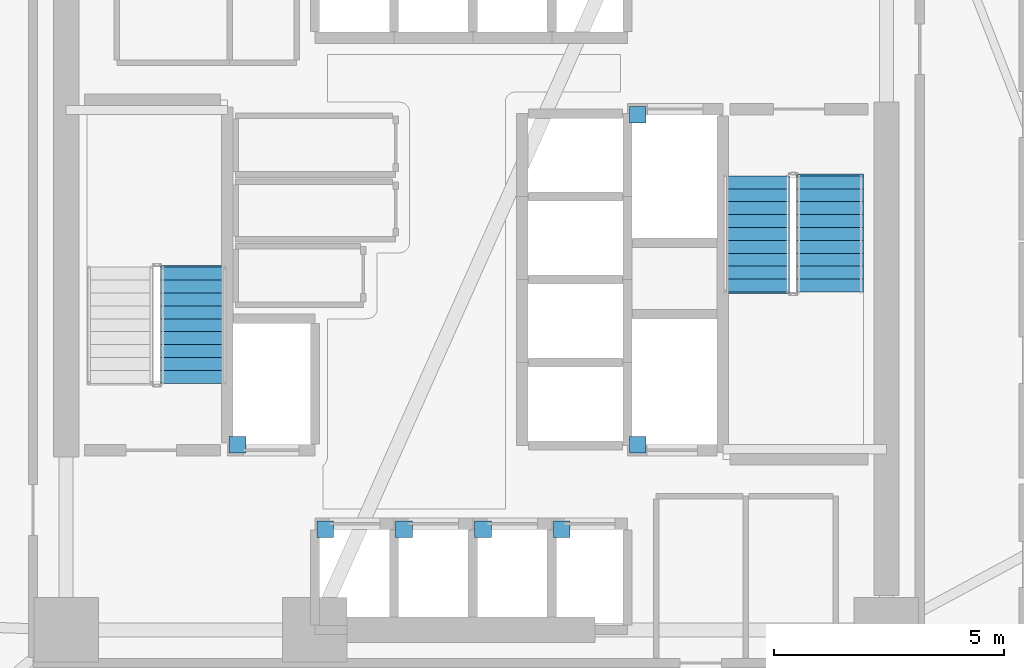
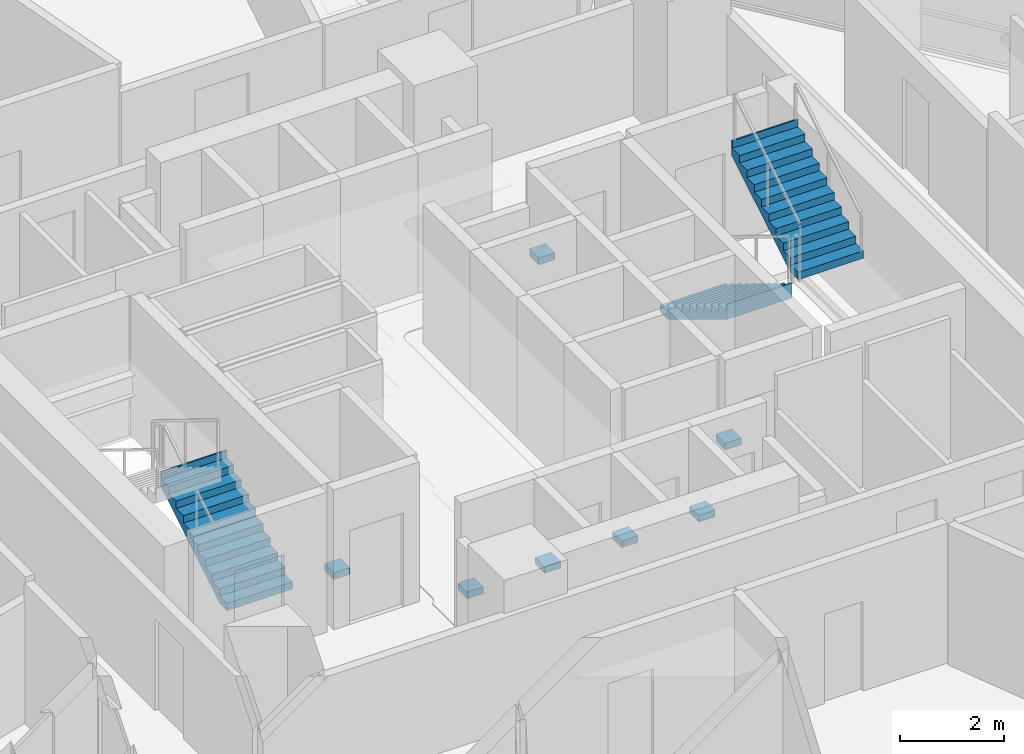
# One storey, part 11 of 16: 7 discrete accessories, 3 stair flights, 2 elements without a shape of their own.
"""IFC4 building model written with IfcOpenShell, lengths in metres."""

from ifc_helpers import new_model, si_unit, direction, frame, origin, origin_2d, place, context, subcontext, project, spatial, polyline, rectangle, outline, extrude, material, type_object, element, aggregate, save


model = new_model("IFC4")

# Units and contexts
model_context = context("Model", 3, precision=1e-05, world=origin(), true_north=direction((0.0, 1.0)))
body_context = subcontext(model_context, "Body", "Model", "MODEL_VIEW")
ifc_project = project(units=[si_unit("LENGTHUNIT", "METRE"), si_unit("AREAUNIT", "SQUARE_METRE"), si_unit("VOLUMEUNIT", "CUBIC_METRE"), si_unit("PLANEANGLEUNIT", "RADIAN"), si_unit("MASSUNIT", "GRAM", prefix="KILO")], contexts=[model_context])

# Site, building, storey
site_placement = place(None, origin())
site = spatial("IfcSite", under=ifc_project, at=site_placement, CompositionType="ELEMENT")
building_placement = place(site_placement, origin())
building = spatial("IfcBuilding", under=site, at=building_placement, Name="Tharavind Bronze Gate", CompositionType="ELEMENT")
storey_placement = place(building_placement, frame((0.0, 0.0, 70.75)))
storey = spatial("IfcBuildingStorey", under=building, at=storey_placement, Name="L17", CompositionType="ELEMENT", Elevation=70.75)

# Stair, stair flight
ifc_material_1 = material(Name="Concrete C40/50", Category="concrete")
stair_type = type_object("IfcStairType", Name="CORE HALF TURN STAIR 1450", PredefinedType="HALF_TURN_STAIR", material=ifc_material_1)
stair_1_placement = place(storey_placement, origin())
stair_1 = element("IfcStair", 1, at=stair_1_placement, inside=storey, type_object=stair_type, Name="L17 Protected Exit Stair ST1", PredefinedType="HALF_TURN_STAIR")
stair_flight_type = type_object("IfcStairFlightType", Name="CORE STAIR FLIGHT 1450", PredefinedType="STRAIGHT", material=ifc_material_1)
stair_flight_1_placement = place(storey_placement, frame((-6.125, -2.25, 0.0), z_axis=(0.0, 0.0, 1.0), x_axis=(0.0, 1.0, 0.0)))
stair_flight_1 = element("IfcStairFlight", 2, at=stair_flight_1_placement, type_object=stair_flight_type, Name="ST1 flight 1", NumberOfRisers=10, NumberOfTreads=9, PredefinedType="STRAIGHT", RiserHeight=0.1725, TreadLength=0.28, context=body_context, shape_type="SweptSolid", body=[
    extrude(outline(polyline([(0.0, 0.0), (0.0, 0.172607421875), (0.280029296875, 0.172607421875), (0.280029296875, 0.344970703125), (0.56005859375, 0.344970703125), (0.56005859375, 0.517578125), (0.840087890625, 0.517578125), (0.840087890625, 0.68994140625), (1.1201171875, 0.68994140625), (1.1201171875, 0.862548828125), (1.39990234375, 0.862548828125), (1.39990234375, 1.034912109375), (1.679931640625, 1.034912109375), (1.679931640625, 1.20751953125), (1.9599609375, 1.20751953125), (1.9599609375, 1.3798828125), (2.239990234375, 1.3798828125), (2.239990234375, 1.552490234375), (2.52001953125, 1.552490234375), (2.52001953125, 1.72509765625), (2.555908203125, 1.72509765625), (2.555908203125, 1.37646484375), (0.285888671875, 0.0), (0.0, 0.0)])), frame((0.0, 0.72509765625, 0.0), z_axis=(0.0, -1.0, 0.0), x_axis=(1.0, 0.0, 0.0)), (0.0, 0.0, 1.0), 1.449951171875),
])
aggregate(stair_1, [stair_flight_1])

# Stair, stair flights
stair_2_placement = place(storey_placement, origin())
stair_2 = element("IfcStair", 3, at=stair_2_placement, inside=storey, type_object=stair_type, Name="L17 Protected Exit Stair ST2", PredefinedType="HALF_TURN_STAIR")
stair_flight_2_placement = place(storey_placement, frame((6.074951171875, 2.25, 0.0), z_axis=(0.0, 0.0, 1.0), x_axis=(0.0, -1.0, 0.0)))
stair_flight_2 = element("IfcStairFlight", 4, at=stair_flight_2_placement, type_object=stair_flight_type, Name="ST2 flight 1", NumberOfRisers=10, NumberOfTreads=9, PredefinedType="STRAIGHT", RiserHeight=0.1725, TreadLength=0.28, context=body_context, shape_type="SweptSolid", body=[
    extrude(outline(polyline([(0.0, 0.0), (0.0, 0.172607421875), (0.280029296875, 0.172607421875), (0.280029296875, 0.344970703125), (0.56005859375, 0.344970703125), (0.56005859375, 0.517578125), (0.840087890625, 0.517578125), (0.840087890625, 0.68994140625), (1.1201171875, 0.68994140625), (1.1201171875, 0.862548828125), (1.39990234375, 0.862548828125), (1.39990234375, 1.034912109375), (1.679931640625, 1.034912109375), (1.679931640625, 1.20751953125), (1.9599609375, 1.20751953125), (1.9599609375, 1.3798828125), (2.239990234375, 1.3798828125), (2.239990234375, 1.552490234375), (2.52001953125, 1.552490234375), (2.52001953125, 1.72509765625), (2.555908203125, 1.72509765625), (2.555908203125, 1.37646484375), (0.285888671875, 0.0), (0.0, 0.0)])), frame((0.0, 0.72509765625, 0.0), z_axis=(0.0, -1.0, 0.0), x_axis=(1.0, 0.0, 0.0)), (0.0, 0.0, 1.0), 1.449951171875),
])
stair_flight_3_placement = place(storey_placement, frame((7.675048828125, -0.27001953125, 1.72509765625), z_axis=(0.0, 0.0, 1.0), x_axis=(0.0, 1.0, 0.0)))
stair_flight_3 = element("IfcStairFlight", 5, at=stair_flight_3_placement, type_object=stair_flight_type, Name="ST2 flight 2", NumberOfRisers=10, NumberOfTreads=9, PredefinedType="STRAIGHT", RiserHeight=0.1725, TreadLength=0.28, context=body_context, shape_type="SweptSolid", body=[
    extrude(outline(polyline([(0.0, 0.0), (0.0, 0.172607421875), (0.280029296875, 0.172607421875), (0.280029296875, 0.344970703125), (0.56005859375, 0.344970703125), (0.56005859375, 0.517578125), (0.840087890625, 0.517578125), (0.840087890625, 0.68994140625), (1.1201171875, 0.68994140625), (1.1201171875, 0.862548828125), (1.39990234375, 0.862548828125), (1.39990234375, 1.034912109375), (1.679931640625, 1.034912109375), (1.679931640625, 1.20751953125), (1.9599609375, 1.20751953125), (1.9599609375, 1.3798828125), (2.239990234375, 1.3798828125), (2.239990234375, 1.552490234375), (2.52001953125, 1.552490234375), (2.52001953125, 1.72509765625), (2.555908203125, 1.72509765625), (2.555908203125, 1.37646484375), (0.285888671875, 0.0), (0.0, 0.0)])), frame((0.0, 0.72509765625, 0.0), z_axis=(0.0, -1.0, 0.0), x_axis=(1.0, 0.0, 0.0)), (0.0, 0.0, 1.0), 1.449951171875),
])
aggregate(stair_2, [stair_flight_2, stair_flight_3])

# Discrete accessories
ifc_material_2 = material(Name="Galvanised Steel S355", Category="steel")
discrete_accessory_type = type_object("IfcDiscreteAccessoryType", Name="LIFT GUIDE RAIL BRACKET", PredefinedType="BRACKET", material=ifc_material_2)
for number, where, z_axis, x_axis, name in (
    (6, (-3.280029296875, -5.419921875, 1.1201171875), (0.0, 0.0, 1.0), (1.0, 0.0, 0.0), "Lift PL1 guide rail bracket at L17"),
    (7, (-1.5673828125, -5.419921875, 1.1201171875), (0.0, 0.0, 1.0), (1.0, 0.0, 0.0), "Lift PL2 guide rail bracket at L17"),
    (8, (0.14501953125, -5.419921875, 1.1201171875), (0.0, 0.0, 1.0), (1.0, 0.0, 0.0), "Lift PL3 guide rail bracket at L17"),
    (9, (1.857421875, -5.419921875, 1.1201171875), (0.0, 0.0, 1.0), (1.0, 0.0, 0.0), "Lift PL4 guide rail bracket at L17"),
    (10, (-5.179931640625, -3.580078125, 1.1201171875), (0.0, 0.0, 1.0), (1.0, 0.0, 0.0), "Lift FFL1 guide rail bracket at L17"),
    (11, (3.5, 3.580078125, 1.1201171875), (0.0, 0.0, 1.0), (1.0, 0.0, 0.0), "Lift FFL2 guide rail bracket at L17"),
    (12, (3.5, -3.580078125, 1.1201171875), (0.0, 0.0, 1.0), (1.0, 0.0, 0.0), "Lift SVL1 guide rail bracket at L17"),
):
    element("IfcDiscreteAccessory", number, at=place(storey_placement, frame(where, z_axis=z_axis, x_axis=x_axis)), inside=storey, type_object=discrete_accessory_type, Name=name, PredefinedType="BRACKET", context=body_context, shape_type="SweptSolid", body=[
        extrude(rectangle(XDim=0.360107421875, YDim=0.360107421875, at=origin_2d()), origin(), (0.0, 0.0, 1.0), 0.159912109375),
    ])

save(model, "model.ifc")
